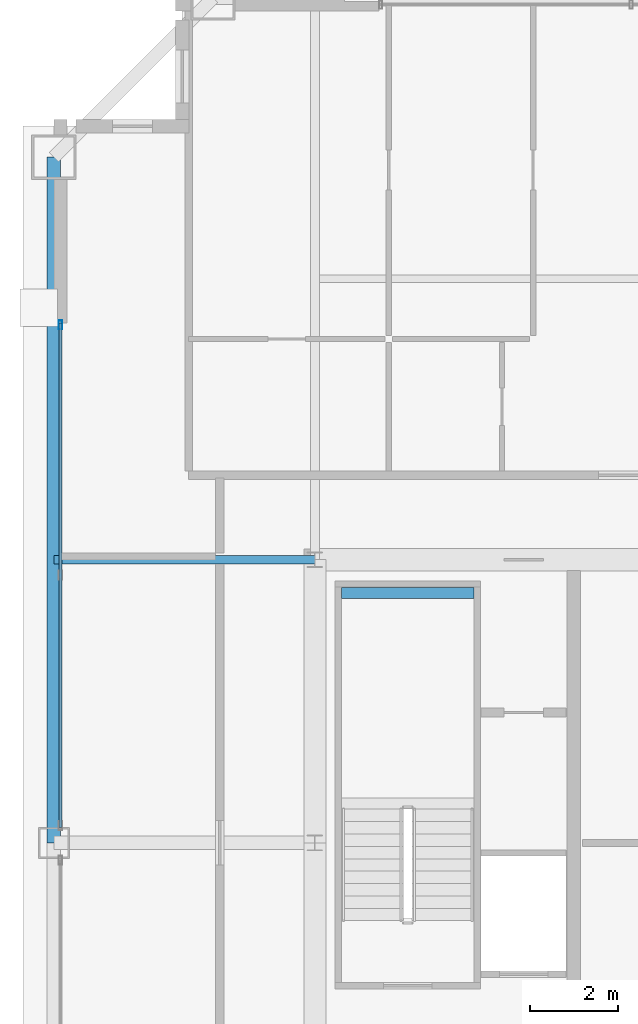
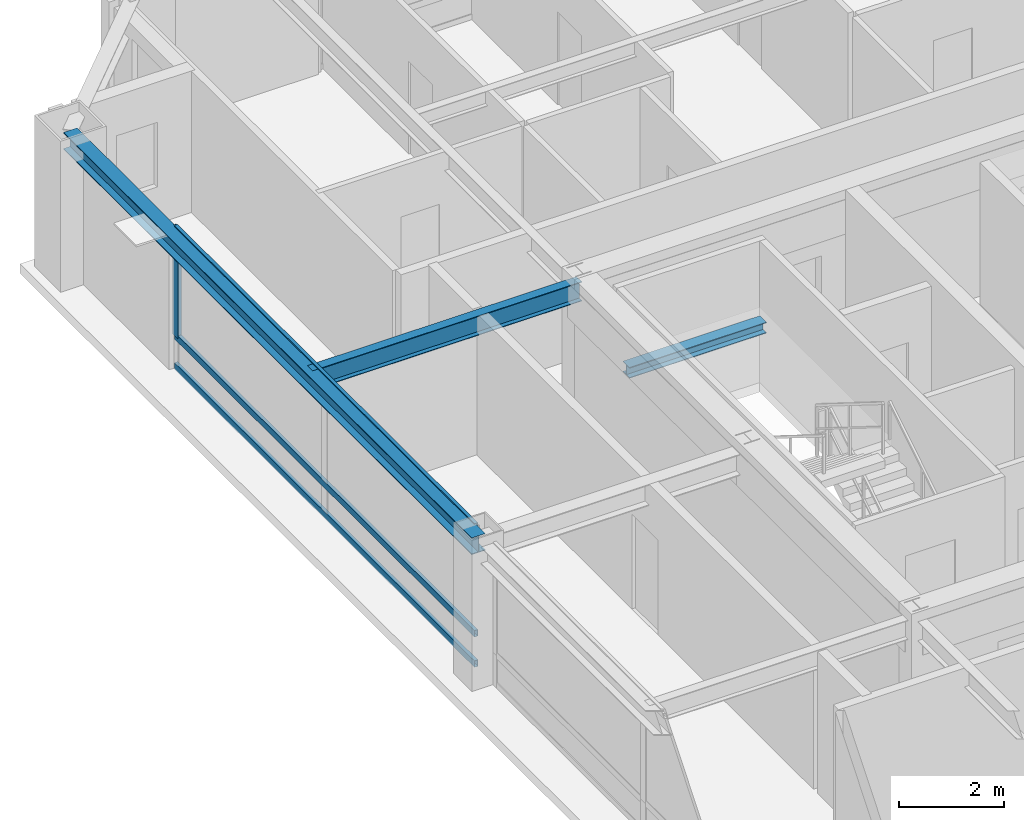
# One storey, part 12 of 35: 4 members, 3 beams, 1 element without a shape of its own.
"""IFC4 building model written with IfcOpenShell, lengths in metres."""

from ifc_helpers import new_model, si_unit, direction, frame, origin, origin_2d, place, context, subcontext, project, spatial, hollow_rectangle, i_section, extrude, source, transform, mapped, material, layer, layer_set, material_profile, profile_set, type_object, element, aggregate, save


model = new_model("IFC4")

# Units and contexts
model_context = context("Model", 3, precision=1e-05, world=origin(), true_north=direction((0.0, 1.0)))
body_context = subcontext(model_context, "Body", "Model", "MODEL_VIEW")
ifc_project = project(units=[si_unit("LENGTHUNIT", "METRE"), si_unit("AREAUNIT", "SQUARE_METRE"), si_unit("VOLUMEUNIT", "CUBIC_METRE"), si_unit("PLANEANGLEUNIT", "RADIAN"), si_unit("MASSUNIT", "GRAM", prefix="KILO"), si_unit("THERMODYNAMICTEMPERATUREUNIT", "KELVIN"), si_unit("POWERUNIT", "WATT")], contexts=[model_context])

# Site, building, storey
site_placement = place(None, origin())
site = spatial("IfcSite", under=ifc_project, at=site_placement, CompositionType="ELEMENT")
building_placement = place(site_placement, origin())
building = spatial("IfcBuilding", under=site, at=building_placement, Name="Yuzanri Waterfront Tower", CompositionType="ELEMENT")
storey_placement = place(building_placement, frame((0.0, 0.0, 296.10009765625)))
storey = spatial("IfcBuildingStorey", under=building, at=storey_placement, Name="L79", CompositionType="ELEMENT", Elevation=296.10009765625)

# Beams
ifc_material_1 = material(Name="Steel Q355B", Category="steel")
ifc_material_profile_1 = material_profile(ifc_material_1, i_section(OverallWidth=0.300048828125, OverallDepth=0.389892578125, WebThickness=0.010009765625, FlangeThickness=0.01611328125, at=origin_2d()), Name="HM 390x300x10x16")
ifc_profile_set_1 = profile_set([ifc_material_profile_1], Name="Steel Q355B")
beam_type_1 = type_object("IfcBeamType", Name="Perimeter Spandrel Q355B HM 390x300", PredefinedType="SPANDREL", material=ifc_profile_set_1)
shared_shape_1 = source(origin(), body_context, "Body", "SweptSolid", [
    extrude(i_section(OverallWidth=0.300048828125, OverallDepth=0.389892578125, WebThickness=0.010009765625, FlangeThickness=0.01611328125, at=origin_2d()), origin(), (0.0, 0.0, 1.0), 15.5),
])
beam_1_placement = place(storey_placement, frame((17.89990234375, 41.300048828125, 3.0849609375), z_axis=(0.0, -1.0, 0.0), x_axis=(1.0, 0.0, 0.0)))
element("IfcBeam", 1, at=beam_1_placement, inside=storey, type_object=beam_type_1, Name="L79 Perimeter Spandrel W3-W2", PredefinedType="SPANDREL", context=body_context, shape_type="MappedRepresentation", body=[
    mapped(shared_shape_1, transform((0.0, 0.0, 0.0), scale=1.0)),
])
ifc_material_2 = material(Name="Steel Q355B", Category="steel")
ifc_material_profile_2 = material_profile(ifc_material_2, i_section(OverallWidth=0.199951171875, OverallDepth=0.449951171875, WebThickness=0.009033203125, FlangeThickness=0.013916015625, at=origin_2d()), Name="HN 450x200x9x14")
ifc_profile_set_2 = profile_set([ifc_material_profile_2], Name="Steel Q355B")
beam_type_2 = type_object("IfcBeamType", Name="Secondary Floor Beam Q355B HN 450x200", PredefinedType="BEAM", material=ifc_profile_set_2)
shared_shape_2 = source(origin(), body_context, "Body", "SweptSolid", [
    extrude(i_section(OverallWidth=0.199951171875, OverallDepth=0.449951171875, WebThickness=0.009033203125, FlangeThickness=0.013916015625, at=origin_2d()), origin(), (0.0, 0.0, 1.0), 5.900146484375),
])
beam_2_placement = place(storey_placement, frame((23.800048828125, 32.199951171875, 3.054931640625), z_axis=(-1.0, 0.0, 0.0), x_axis=(0.0, -1.0, 0.0)))
element("IfcBeam", 2, at=beam_2_placement, inside=storey, type_object=beam_type_2, Name="L79 West-North Core Line Beam", PredefinedType="BEAM", context=body_context, shape_type="MappedRepresentation", body=[
    mapped(shared_shape_2, transform((0.0, 0.0, 0.0), scale=1.0)),
])

# Curtain wall, members
ifc_material_3 = material(Name="Anodized Architectural Bronze", Category="metal")
ifc_layer = layer(ifc_material_3, 0.159912109375)
ifc_layer_set = layer_set([ifc_layer], Name="Anodized Architectural Bronze")
curtain_wall_type = type_object("IfcCurtainWallType", Name="Anodized Bronze High-Rise Penthouse High-Wind Unitized Curtain Wall 6900", PredefinedType="NOTDEFINED", material=ifc_layer_set)
curtain_wall_placement = place(storey_placement, origin())
curtain_wall = element("IfcCurtainWall", 3, at=curtain_wall_placement, inside=storey, type_object=curtain_wall_type, Name="L79 Curtain Wall CW-L79-WR", PredefinedType="NOTDEFINED")
ifc_material_4 = material(Name="Anodized Architectural Bronze", Category="metal")
ifc_material_profile_3 = material_profile(ifc_material_4, hollow_rectangle(XDim=0.074951171875, YDim=0.199951171875, WallThickness=0.00390625, at=origin_2d()), Name="CWM 75x200")
ifc_profile_set_3 = profile_set([ifc_material_profile_3], Name="Anodized Architectural Bronze")
member_type_1 = type_object("IfcMemberType", Name="Anodized Bronze Primary Curtain-Wall Mullion 75x200", PredefinedType="MULLION", material=ifc_profile_set_3)
shared_shape_3 = source(origin(), body_context, "Body", "SweptSolid", [
    extrude(hollow_rectangle(XDim=0.074951171875, YDim=0.199951171875, WallThickness=0.00390625, at=origin_2d()), origin(), (0.0, 0.0, 1.0), 2.52392578125),
])
member_1_placement = place(storey_placement, frame((18.050048828125, 37.510009765625, 0.755859375), z_axis=(0.0, 0.0, 1.0), x_axis=(1.0, 0.0, 0.0)))
member_1 = element("IfcMember", 4, at=member_1_placement, type_object=member_type_1, Name="CW-L79-WR Upper Mullion 02", PredefinedType="MULLION", context=body_context, shape_type="MappedRepresentation", body=[
    mapped(shared_shape_3, transform((0.0, 0.0, 0.0), scale=1.0)),
])
ifc_material_5 = material(Name="Anodized Architectural Bronze", Category="metal")
ifc_material_profile_4 = material_profile(ifc_material_5, hollow_rectangle(XDim=0.074951171875, YDim=0.14990234375, WallThickness=0.00390625, at=origin_2d()), Name="CWT 75x150")
ifc_profile_set_4 = profile_set([ifc_material_profile_4], Name="Anodized Architectural Bronze")
member_type_2 = type_object("IfcMemberType", Name="Anodized Bronze Primary Curtain-Wall Transom 75x150", PredefinedType="USERDEFINED", material=ifc_profile_set_4)
shared_shape_4 = source(origin(), body_context, "Body", "SweptSolid", [
    extrude(hollow_rectangle(XDim=0.074951171875, YDim=0.14990234375, WallThickness=0.00390625, at=origin_2d()), origin(), (0.0, 0.0, 1.0), 11.400146484375),
])
member_2_placement = place(storey_placement, frame((18.050048828125, 26.14990234375, 0.0498046875), z_axis=(0.0, 1.0, 0.0), x_axis=(-1.0, 0.0, 0.0)))
member_2 = element("IfcMember", 5, at=member_2_placement, type_object=member_type_2, Name="CW-L79-WR Transom 1", ObjectType="TRANSOM", PredefinedType="USERDEFINED", context=body_context, shape_type="MappedRepresentation", body=[
    mapped(shared_shape_4, transform((0.0, 0.0, 0.0), scale=1.0)),
])
member_3_placement = place(storey_placement, frame((18.050048828125, 26.14990234375, 0.75390625), z_axis=(0.0, 1.0, 0.0), x_axis=(-1.0, 0.0, 0.0)))
member_3 = element("IfcMember", 6, at=member_3_placement, type_object=member_type_2, Name="CW-L79-WR Transom 2", ObjectType="TRANSOM", PredefinedType="USERDEFINED", context=body_context, shape_type="MappedRepresentation", body=[
    mapped(shared_shape_4, transform((0.0, 0.0, 0.0), scale=1.0)),
])
member_4_placement = place(storey_placement, frame((18.050048828125, 26.14990234375, 3.22998046875), z_axis=(0.0, 1.0, 0.0), x_axis=(-1.0, 0.0, 0.0)))
member_4 = element("IfcMember", 7, at=member_4_placement, type_object=member_type_2, Name="CW-L79-WR Transom 3", ObjectType="TRANSOM", PredefinedType="USERDEFINED", context=body_context, shape_type="MappedRepresentation", body=[
    mapped(shared_shape_4, transform((0.0, 0.0, 0.0), scale=1.0)),
])
aggregate(curtain_wall, [member_1, member_2, member_3, member_4])

# Beam
ifc_material_6 = material(Name="Steel Q355B", Category="steel")
ifc_material_profile_5 = material_profile(ifc_material_6, i_section(OverallWidth=0.25, OverallDepth=0.25, WebThickness=0.009033203125, FlangeThickness=0.013916015625, at=origin_2d()), Name="HW 250x250x9x14")
ifc_profile_set_5 = profile_set([ifc_material_profile_5], Name="Steel Q355B")
beam_type_3 = type_object("IfcBeamType", Name="Stair Landing Support Beam Q355B HW 250x250", PredefinedType="BEAM", material=ifc_profile_set_5)
shared_shape_5 = source(origin(), body_context, "Body", "SweptSolid", [
    extrude(i_section(OverallWidth=0.25, OverallDepth=0.25, WebThickness=0.009033203125, FlangeThickness=0.013916015625, at=origin_2d()), origin(), (0.0, 0.0, 1.0), 3.0),
])
beam_3_placement = place(storey_placement, frame((24.39990234375, 31.449951171875, 1.4248046875), z_axis=(1.0, 0.0, 0.0), x_axis=(0.0, 1.0, 0.0)))
element("IfcBeam", 8, at=beam_3_placement, inside=storey, type_object=beam_type_3, Name="L79 Stair Landing Support Beam ST-01-L79-L1-2", PredefinedType="BEAM", context=body_context, shape_type="MappedRepresentation", body=[
    mapped(shared_shape_5, transform((0.0, 0.0, 0.0), scale=1.0)),
])

save(model, "model.ifc")
